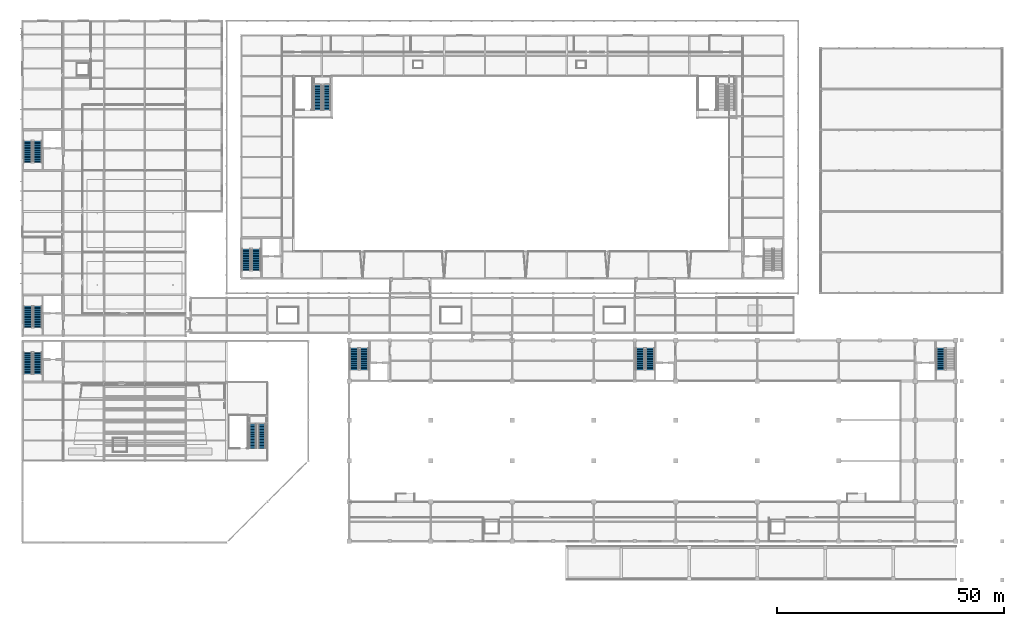
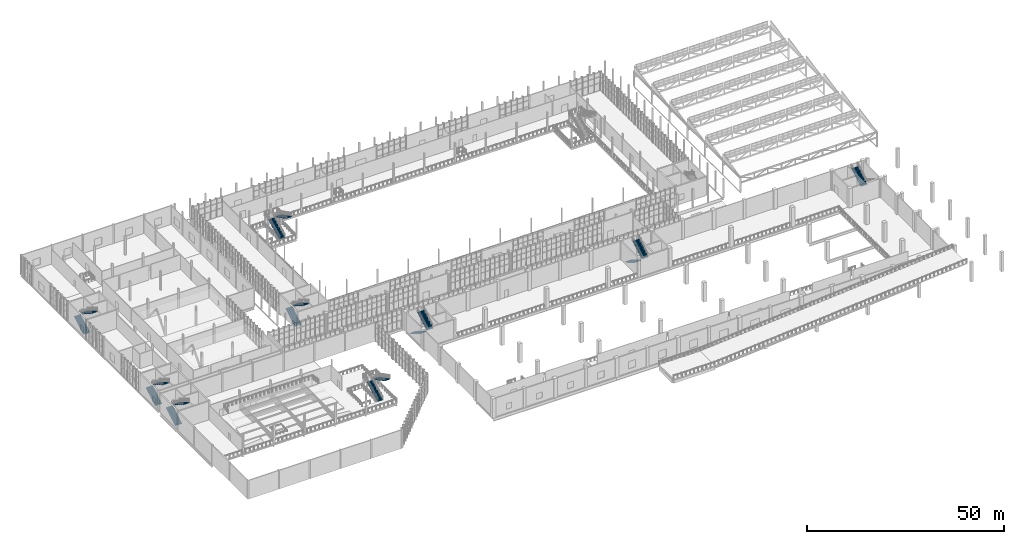
# One storey, part 129 of 159: 17 stair flights, 9 elements without a shape of their own.
"""IFC4 building model written with IfcOpenShell, lengths in metres."""

from ifc_helpers import new_model, si_unit, direction, frame, origin, place, context, subcontext, project, spatial, polyline, outline, extrude, material, type_object, element, aggregate, save


model = new_model("IFC4")

# Units and contexts
model_context = context("Model", 3, precision=1e-05, world=origin(), true_north=direction((0.0, 1.0)))
body_context = subcontext(model_context, "Body", "Model", "MODEL_VIEW")
ifc_project = project(units=[si_unit("LENGTHUNIT", "METRE"), si_unit("AREAUNIT", "SQUARE_METRE"), si_unit("VOLUMEUNIT", "CUBIC_METRE"), si_unit("PLANEANGLEUNIT", "RADIAN"), si_unit("MASSUNIT", "GRAM", prefix="KILO")], contexts=[model_context])

# Site, building, storey
site_placement = place(None, origin())
site = spatial("IfcSite", under=ifc_project, at=site_placement, CompositionType="ELEMENT")
building_placement = place(site_placement, origin())
building = spatial("IfcBuilding", under=site, at=building_placement, Name="Cazmaro Siding Exhibition Halls", CompositionType="ELEMENT")
storey_placement = place(building_placement, frame((0.0, 0.0, 6.0)))
storey = spatial("IfcBuildingStorey", under=building, at=storey_placement, Name="L01", CompositionType="ELEMENT", Elevation=6.0)

# Stair, stair flights
ifc_material_1 = material(Name="Concrete f'c 40 MPa", Category="concrete")
stair_type_1 = type_object("IfcStairType", Name="STT-02", PredefinedType="TWO_STRAIGHT_RUN_STAIR", material=ifc_material_1)
stair_1_placement = place(storey_placement, origin())
stair_1 = element("IfcStair", 1, at=stair_1_placement, inside=storey, type_object=stair_type_1, Name="Core C1 Exit Stair L01-L02 ST-02", PredefinedType="TWO_STRAIGHT_RUN_STAIR")
ifc_material_2 = material(Name="Concrete f'c 40 MPa", Category="concrete")
stair_flight_type_1 = type_object("IfcStairFlightType", Name="STF-02", PredefinedType="STRAIGHT", material=ifc_material_2)
stair_flight_1_placement = place(storey_placement, frame((49.385009765625, 68.9599609375, 0.0), z_axis=(0.0, 0.0, 1.0), x_axis=(0.0, 1.0, 0.0)))
stair_flight_1 = element("IfcStairFlight", 2, at=stair_flight_1_placement, type_object=stair_flight_type_1, Name="ST-02 flight 1", NumberOfRisers=18, NumberOfTreads=17, PredefinedType="STRAIGHT", RiserHeight=0.16667, TreadLength=0.28, context=body_context, shape_type="SweptSolid", body=[
    extrude(outline(polyline([(0.0, 0.0), (0.0, 0.166748046875), (0.280029296875, 0.166748046875), (0.280029296875, 0.333251953125), (0.56005859375, 0.333251953125), (0.56005859375, 0.5), (0.840087890625, 0.5), (0.840087890625, 0.666748046875), (1.1201171875, 0.666748046875), (1.1201171875, 0.833251953125), (1.39990234375, 0.833251953125), (1.39990234375, 1.0), (1.679931640625, 1.0), (1.679931640625, 1.166748046875), (1.9599609375, 1.166748046875), (1.9599609375, 1.333251953125), (2.239990234375, 1.333251953125), (2.239990234375, 1.5), (2.52001953125, 1.5), (2.52001953125, 1.666748046875), (2.800048828125, 1.666748046875), (2.800048828125, 1.833251953125), (3.080078125, 1.833251953125), (3.080078125, 2.0), (3.360107421875, 2.0), (3.360107421875, 2.166748046875), (3.639892578125, 2.166748046875), (3.639892578125, 2.33349609375), (3.919921875, 2.33349609375), (3.919921875, 2.5), (4.199951171875, 2.5), (4.199951171875, 2.666748046875), (4.47998046875, 2.666748046875), (4.47998046875, 2.83349609375), (4.760009765625, 2.83349609375), (4.760009765625, 3.0), (4.760009765625, 2.647216796875), (0.312744140625, 0.0), (0.0, 0.0)])), frame((0.0, 0.9599609375, 0.0), z_axis=(0.0, -1.0, 0.0), x_axis=(1.0, 0.0, 0.0)), (0.0, 0.0, 1.0), 1.919921875),
])
stair_flight_2_placement = place(storey_placement, frame((51.570068359375, 73.719970703125, 3.0), z_axis=(0.0, 0.0, 1.0), x_axis=(0.0, -1.0, 0.0)))
stair_flight_2 = element("IfcStairFlight", 3, at=stair_flight_2_placement, type_object=stair_flight_type_1, Name="ST-02 flight 2", NumberOfRisers=18, NumberOfTreads=17, PredefinedType="STRAIGHT", RiserHeight=0.16667, TreadLength=0.28, context=body_context, shape_type="SweptSolid", body=[
    extrude(outline(polyline([(0.0, 0.0), (0.0, 0.166748046875), (0.280029296875, 0.166748046875), (0.280029296875, 0.333251953125), (0.56005859375, 0.333251953125), (0.56005859375, 0.5), (0.840087890625, 0.5), (0.840087890625, 0.666748046875), (1.1201171875, 0.666748046875), (1.1201171875, 0.833251953125), (1.39990234375, 0.833251953125), (1.39990234375, 1.0), (1.679931640625, 1.0), (1.679931640625, 1.166748046875), (1.9599609375, 1.166748046875), (1.9599609375, 1.333251953125), (2.239990234375, 1.333251953125), (2.239990234375, 1.5), (2.52001953125, 1.5), (2.52001953125, 1.666748046875), (2.800048828125, 1.666748046875), (2.800048828125, 1.833251953125), (3.080078125, 1.833251953125), (3.080078125, 2.0), (3.360107421875, 2.0), (3.360107421875, 2.166748046875), (3.639892578125, 2.166748046875), (3.639892578125, 2.33349609375), (3.919921875, 2.33349609375), (3.919921875, 2.5), (4.199951171875, 2.5), (4.199951171875, 2.666748046875), (4.47998046875, 2.666748046875), (4.47998046875, 2.83349609375), (4.760009765625, 2.83349609375), (4.760009765625, 3.0), (4.760009765625, 2.647216796875), (0.312744140625, 0.0), (0.0, 0.0)])), frame((0.0, 0.9599609375, 0.0), z_axis=(0.0, -1.0, 0.0), x_axis=(1.0, 0.0, 0.0)), (0.0, 0.0, 1.0), 1.919921875),
])
aggregate(stair_1, [stair_flight_1, stair_flight_2])

ifc_material_3 = material(Name="Concrete f'c 40 MPa", Category="concrete")
stair_type_2 = type_object("IfcStairType", Name="STT-06", PredefinedType="TWO_STRAIGHT_RUN_STAIR", material=ifc_material_3)
stair_2_placement = place(storey_placement, origin())
stair_2 = element("IfcStair", 4, at=stair_2_placement, inside=storey, type_object=stair_type_2, Name="Core C3 Exit Stair L01-L02 ST-06", PredefinedType="TWO_STRAIGHT_RUN_STAIR")
ifc_material_4 = material(Name="Concrete f'c 40 MPa", Category="concrete")
stair_flight_type_2 = type_object("IfcStairFlightType", Name="STF-06", PredefinedType="STRAIGHT", material=ifc_material_4)
stair_flight_3_placement = place(storey_placement, frame((73.175048828125, 51.840087890625, 0.0), z_axis=(0.0, 0.0, 1.0), x_axis=(0.0, -1.0, 0.0)))
stair_flight_3 = element("IfcStairFlight", 5, at=stair_flight_3_placement, type_object=stair_flight_type_2, Name="ST-06 flight 1", NumberOfRisers=18, NumberOfTreads=17, PredefinedType="STRAIGHT", RiserHeight=0.16667, TreadLength=0.28, context=body_context, shape_type="SweptSolid", body=[
    extrude(outline(polyline([(0.0, 0.0), (0.0, 0.166748046875), (0.280029296875, 0.166748046875), (0.280029296875, 0.333251953125), (0.56005859375, 0.333251953125), (0.56005859375, 0.5), (0.840087890625, 0.5), (0.840087890625, 0.666748046875), (1.1201171875, 0.666748046875), (1.1201171875, 0.833251953125), (1.39990234375, 0.833251953125), (1.39990234375, 1.0), (1.679931640625, 1.0), (1.679931640625, 1.166748046875), (1.9599609375, 1.166748046875), (1.9599609375, 1.333251953125), (2.239990234375, 1.333251953125), (2.239990234375, 1.5), (2.52001953125, 1.5), (2.52001953125, 1.666748046875), (2.800048828125, 1.666748046875), (2.800048828125, 1.833251953125), (3.080078125, 1.833251953125), (3.080078125, 2.0), (3.360107421875, 2.0), (3.360107421875, 2.166748046875), (3.639892578125, 2.166748046875), (3.639892578125, 2.33349609375), (3.919921875, 2.33349609375), (3.919921875, 2.5), (4.199951171875, 2.5), (4.199951171875, 2.666748046875), (4.47998046875, 2.666748046875), (4.47998046875, 2.83349609375), (4.760009765625, 2.83349609375), (4.760009765625, 3.0), (4.760009765625, 2.647216796875), (0.312744140625, 0.0), (0.0, 0.0)])), frame((0.0, 0.949951171875, 0.0), z_axis=(0.0, -1.0, 0.0), x_axis=(1.0, 0.0, 0.0)), (0.0, 0.0, 1.0), 1.89990234375),
])
stair_flight_4_placement = place(storey_placement, frame((75.3798828125, 47.080078125, 3.0), z_axis=(0.0, 0.0, 1.0), x_axis=(0.0, 1.0, 0.0)))
stair_flight_4 = element("IfcStairFlight", 6, at=stair_flight_4_placement, type_object=stair_flight_type_2, Name="ST-06 flight 2", NumberOfRisers=18, NumberOfTreads=17, PredefinedType="STRAIGHT", RiserHeight=0.16667, TreadLength=0.28, context=body_context, shape_type="SweptSolid", body=[
    extrude(outline(polyline([(0.0, 0.0), (0.0, 0.166748046875), (0.280029296875, 0.166748046875), (0.280029296875, 0.333251953125), (0.56005859375, 0.333251953125), (0.56005859375, 0.5), (0.840087890625, 0.5), (0.840087890625, 0.666748046875), (1.1201171875, 0.666748046875), (1.1201171875, 0.833251953125), (1.39990234375, 0.833251953125), (1.39990234375, 1.0), (1.679931640625, 1.0), (1.679931640625, 1.166748046875), (1.9599609375, 1.166748046875), (1.9599609375, 1.333251953125), (2.239990234375, 1.333251953125), (2.239990234375, 1.5), (2.52001953125, 1.5), (2.52001953125, 1.666748046875), (2.800048828125, 1.666748046875), (2.800048828125, 1.833251953125), (3.080078125, 1.833251953125), (3.080078125, 2.0), (3.360107421875, 2.0), (3.360107421875, 2.166748046875), (3.639892578125, 2.166748046875), (3.639892578125, 2.33349609375), (3.919921875, 2.33349609375), (3.919921875, 2.5), (4.199951171875, 2.5), (4.199951171875, 2.666748046875), (4.47998046875, 2.666748046875), (4.47998046875, 2.83349609375), (4.760009765625, 2.83349609375), (4.760009765625, 3.0), (4.760009765625, 2.647216796875), (0.312744140625, 0.0), (0.0, 0.0)])), frame((0.0, 0.949951171875, 0.0), z_axis=(0.0, -1.0, 0.0), x_axis=(1.0, 0.0, 0.0)), (0.0, 0.0, 1.0), 1.89990234375),
])
aggregate(stair_2, [stair_flight_3, stair_flight_4])

ifc_material_5 = material(Name="Concrete f'c 40 MPa", Category="concrete")
stair_type_3 = type_object("IfcStairType", Name="STT-08", PredefinedType="TWO_STRAIGHT_RUN_STAIR", material=ifc_material_5)
stair_3_placement = place(storey_placement, origin())
stair_3 = element("IfcStair", 7, at=stair_3_placement, inside=storey, type_object=stair_type_3, Name="Core C4 Exit Stair L01-L02 ST-08", PredefinedType="TWO_STRAIGHT_RUN_STAIR")
ifc_material_6 = material(Name="Concrete f'c 40 MPa", Category="concrete")
stair_flight_type_3 = type_object("IfcStairFlightType", Name="STF-08", PredefinedType="STRAIGHT", material=ifc_material_6)
stair_flight_5_placement = place(storey_placement, frame((136.179931640625, 51.840087890625, 0.0), z_axis=(0.0, 0.0, 1.0), x_axis=(0.0, -1.0, 0.0)))
stair_flight_5 = element("IfcStairFlight", 8, at=stair_flight_5_placement, type_object=stair_flight_type_3, Name="ST-08 flight 1", NumberOfRisers=18, NumberOfTreads=17, PredefinedType="STRAIGHT", RiserHeight=0.16667, TreadLength=0.28, context=body_context, shape_type="SweptSolid", body=[
    extrude(outline(polyline([(0.0, 0.0), (0.0, 0.166748046875), (0.280029296875, 0.166748046875), (0.280029296875, 0.333251953125), (0.56005859375, 0.333251953125), (0.56005859375, 0.5), (0.840087890625, 0.5), (0.840087890625, 0.666748046875), (1.1201171875, 0.666748046875), (1.1201171875, 0.833251953125), (1.39990234375, 0.833251953125), (1.39990234375, 1.0), (1.679931640625, 1.0), (1.679931640625, 1.166748046875), (1.9599609375, 1.166748046875), (1.9599609375, 1.333251953125), (2.239990234375, 1.333251953125), (2.239990234375, 1.5), (2.52001953125, 1.5), (2.52001953125, 1.666748046875), (2.800048828125, 1.666748046875), (2.800048828125, 1.833251953125), (3.080078125, 1.833251953125), (3.080078125, 2.0), (3.360107421875, 2.0), (3.360107421875, 2.166748046875), (3.639892578125, 2.166748046875), (3.639892578125, 2.33349609375), (3.919921875, 2.33349609375), (3.919921875, 2.5), (4.199951171875, 2.5), (4.199951171875, 2.666748046875), (4.47998046875, 2.666748046875), (4.47998046875, 2.83349609375), (4.760009765625, 2.83349609375), (4.760009765625, 3.0), (4.760009765625, 2.647216796875), (0.312744140625, 0.0), (0.0, 0.0)])), frame((0.0, 0.955078125, 0.0), z_axis=(0.0, -1.0, 0.0), x_axis=(1.0, 0.0, 0.0)), (0.0, 0.0, 1.0), 1.909912109375),
])
stair_flight_6_placement = place(storey_placement, frame((138.375, 47.080078125, 3.0), z_axis=(0.0, 0.0, 1.0), x_axis=(0.0, 1.0, 0.0)))
stair_flight_6 = element("IfcStairFlight", 9, at=stair_flight_6_placement, type_object=stair_flight_type_3, Name="ST-08 flight 2", NumberOfRisers=18, NumberOfTreads=17, PredefinedType="STRAIGHT", RiserHeight=0.16667, TreadLength=0.28, context=body_context, shape_type="SweptSolid", body=[
    extrude(outline(polyline([(0.0, 0.0), (0.0, 0.166748046875), (0.280029296875, 0.166748046875), (0.280029296875, 0.333251953125), (0.56005859375, 0.333251953125), (0.56005859375, 0.5), (0.840087890625, 0.5), (0.840087890625, 0.666748046875), (1.1201171875, 0.666748046875), (1.1201171875, 0.833251953125), (1.39990234375, 0.833251953125), (1.39990234375, 1.0), (1.679931640625, 1.0), (1.679931640625, 1.166748046875), (1.9599609375, 1.166748046875), (1.9599609375, 1.333251953125), (2.239990234375, 1.333251953125), (2.239990234375, 1.5), (2.52001953125, 1.5), (2.52001953125, 1.666748046875), (2.800048828125, 1.666748046875), (2.800048828125, 1.833251953125), (3.080078125, 1.833251953125), (3.080078125, 2.0), (3.360107421875, 2.0), (3.360107421875, 2.166748046875), (3.639892578125, 2.166748046875), (3.639892578125, 2.33349609375), (3.919921875, 2.33349609375), (3.919921875, 2.5), (4.199951171875, 2.5), (4.199951171875, 2.666748046875), (4.47998046875, 2.666748046875), (4.47998046875, 2.83349609375), (4.760009765625, 2.83349609375), (4.760009765625, 3.0), (4.760009765625, 2.647216796875), (0.312744140625, 0.0), (0.0, 0.0)])), frame((0.0, 0.955078125, 0.0), z_axis=(0.0, -1.0, 0.0), x_axis=(1.0, 0.0, 0.0)), (0.0, 0.0, 1.0), 1.909912109375),
])
aggregate(stair_3, [stair_flight_5, stair_flight_6])

# Stair, stair flight
ifc_material_7 = material(Name="Concrete f'c 40 MPa", Category="concrete")
stair_type_4 = type_object("IfcStairType", Name="STT-10", PredefinedType="TWO_STRAIGHT_RUN_STAIR", material=ifc_material_7)
stair_4_placement = place(storey_placement, origin())
stair_4 = element("IfcStair", 10, at=stair_4_placement, inside=storey, type_object=stair_type_4, Name="Core C5 Exit Stair L01-L02 ST-10", PredefinedType="TWO_STRAIGHT_RUN_STAIR")
ifc_material_8 = material(Name="Concrete f'c 40 MPa", Category="concrete")
stair_flight_type_4 = type_object("IfcStairFlightType", Name="STF-10", PredefinedType="STRAIGHT", material=ifc_material_8)
stair_flight_7_placement = place(storey_placement, frame((202.43994140625, 47.080078125, 3.0), z_axis=(0.0, 0.0, 1.0), x_axis=(0.0, 1.0, 0.0)))
stair_flight_7 = element("IfcStairFlight", 11, at=stair_flight_7_placement, type_object=stair_flight_type_4, Name="ST-10 flight 2", NumberOfRisers=18, NumberOfTreads=17, PredefinedType="STRAIGHT", RiserHeight=0.16667, TreadLength=0.28, context=body_context, shape_type="SweptSolid", body=[
    extrude(outline(polyline([(0.0, 0.0), (0.0, 0.166748046875), (0.280029296875, 0.166748046875), (0.280029296875, 0.333251953125), (0.56005859375, 0.333251953125), (0.56005859375, 0.5), (0.840087890625, 0.5), (0.840087890625, 0.666748046875), (1.1201171875, 0.666748046875), (1.1201171875, 0.833251953125), (1.39990234375, 0.833251953125), (1.39990234375, 1.0), (1.679931640625, 1.0), (1.679931640625, 1.166748046875), (1.9599609375, 1.166748046875), (1.9599609375, 1.333251953125), (2.239990234375, 1.333251953125), (2.239990234375, 1.5), (2.52001953125, 1.5), (2.52001953125, 1.666748046875), (2.800048828125, 1.666748046875), (2.800048828125, 1.833251953125), (3.080078125, 1.833251953125), (3.080078125, 2.0), (3.360107421875, 2.0), (3.360107421875, 2.166748046875), (3.639892578125, 2.166748046875), (3.639892578125, 2.33349609375), (3.919921875, 2.33349609375), (3.919921875, 2.5), (4.199951171875, 2.5), (4.199951171875, 2.666748046875), (4.47998046875, 2.666748046875), (4.47998046875, 2.83349609375), (4.760009765625, 2.83349609375), (4.760009765625, 3.0), (4.760009765625, 2.647216796875), (0.312744140625, 0.0), (0.0, 0.0)])), frame((0.0, 0.969970703125, 0.0), z_axis=(0.0, -1.0, 0.0), x_axis=(1.0, 0.0, 0.0)), (0.0, 0.0, 1.0), 1.93994140625),
])
aggregate(stair_4, [stair_flight_7])

# Stair, stair flights
ifc_material_9 = material(Name="Concrete f'c 40 MPa", Category="concrete")
stair_type_5 = type_object("IfcStairType", Name="STT-12", PredefinedType="TWO_STRAIGHT_RUN_STAIR", material=ifc_material_9)
stair_5_placement = place(storey_placement, origin())
stair_5 = element("IfcStair", 12, at=stair_5_placement, inside=storey, type_object=stair_type_5, Name="Core C6 Exit Stair L01-L02 ST-12", PredefinedType="TWO_STRAIGHT_RUN_STAIR")
ifc_material_10 = material(Name="Concrete f'c 40 MPa", Category="concrete")
stair_flight_type_5 = type_object("IfcStairFlightType", Name="STF-12", PredefinedType="STRAIGHT", material=ifc_material_10)
stair_flight_8_placement = place(storey_placement, frame((1.199951171875, 46.159912109375, 0.0), z_axis=(0.0, 0.0, 1.0), x_axis=(0.0, 1.0, 0.0)))
stair_flight_8 = element("IfcStairFlight", 13, at=stair_flight_8_placement, type_object=stair_flight_type_5, Name="ST-12 flight 1", NumberOfRisers=18, NumberOfTreads=17, PredefinedType="STRAIGHT", RiserHeight=0.16667, TreadLength=0.28, context=body_context, shape_type="SweptSolid", body=[
    extrude(outline(polyline([(0.0, 0.0), (0.0, 0.166748046875), (0.280029296875, 0.166748046875), (0.280029296875, 0.333251953125), (0.56005859375, 0.333251953125), (0.56005859375, 0.5), (0.840087890625, 0.5), (0.840087890625, 0.666748046875), (1.1201171875, 0.666748046875), (1.1201171875, 0.833251953125), (1.39990234375, 0.833251953125), (1.39990234375, 1.0), (1.679931640625, 1.0), (1.679931640625, 1.166748046875), (1.9599609375, 1.166748046875), (1.9599609375, 1.333251953125), (2.239990234375, 1.333251953125), (2.239990234375, 1.5), (2.52001953125, 1.5), (2.52001953125, 1.666748046875), (2.800048828125, 1.666748046875), (2.800048828125, 1.833251953125), (3.080078125, 1.833251953125), (3.080078125, 2.0), (3.360107421875, 2.0), (3.360107421875, 2.166748046875), (3.639892578125, 2.166748046875), (3.639892578125, 2.33349609375), (3.919921875, 2.33349609375), (3.919921875, 2.5), (4.199951171875, 2.5), (4.199951171875, 2.666748046875), (4.47998046875, 2.666748046875), (4.47998046875, 2.83349609375), (4.760009765625, 2.83349609375), (4.760009765625, 3.0), (4.760009765625, 2.647216796875), (0.312744140625, 0.0), (0.0, 0.0)])), frame((0.0, 0.97509765625, 0.0), z_axis=(0.0, -1.0, 0.0), x_axis=(1.0, 0.0, 0.0)), (0.0, 0.0, 1.0), 1.949951171875),
])
stair_flight_9_placement = place(storey_placement, frame((3.35498046875, 50.919921875, 3.0), z_axis=(0.0, 0.0, 1.0), x_axis=(0.0, -1.0, 0.0)))
stair_flight_9 = element("IfcStairFlight", 14, at=stair_flight_9_placement, type_object=stair_flight_type_5, Name="ST-12 flight 2", NumberOfRisers=18, NumberOfTreads=17, PredefinedType="STRAIGHT", RiserHeight=0.16667, TreadLength=0.28, context=body_context, shape_type="SweptSolid", body=[
    extrude(outline(polyline([(0.0, 0.0), (0.0, 0.166748046875), (0.280029296875, 0.166748046875), (0.280029296875, 0.333251953125), (0.56005859375, 0.333251953125), (0.56005859375, 0.5), (0.840087890625, 0.5), (0.840087890625, 0.666748046875), (1.1201171875, 0.666748046875), (1.1201171875, 0.833251953125), (1.39990234375, 0.833251953125), (1.39990234375, 1.0), (1.679931640625, 1.0), (1.679931640625, 1.166748046875), (1.9599609375, 1.166748046875), (1.9599609375, 1.333251953125), (2.239990234375, 1.333251953125), (2.239990234375, 1.5), (2.52001953125, 1.5), (2.52001953125, 1.666748046875), (2.800048828125, 1.666748046875), (2.800048828125, 1.833251953125), (3.080078125, 1.833251953125), (3.080078125, 2.0), (3.360107421875, 2.0), (3.360107421875, 2.166748046875), (3.639892578125, 2.166748046875), (3.639892578125, 2.33349609375), (3.919921875, 2.33349609375), (3.919921875, 2.5), (4.199951171875, 2.5), (4.199951171875, 2.666748046875), (4.47998046875, 2.666748046875), (4.47998046875, 2.83349609375), (4.760009765625, 2.83349609375), (4.760009765625, 3.0), (4.760009765625, 2.647216796875), (0.312744140625, 0.0), (0.0, 0.0)])), frame((0.0, 0.97509765625, 0.0), z_axis=(0.0, -1.0, 0.0), x_axis=(1.0, 0.0, 0.0)), (0.0, 0.0, 1.0), 1.949951171875),
])
aggregate(stair_5, [stair_flight_8, stair_flight_9])

ifc_material_11 = material(Name="Concrete f'c 40 MPa", Category="concrete")
stair_type_6 = type_object("IfcStairType", Name="STT-14", PredefinedType="TWO_STRAIGHT_RUN_STAIR", material=ifc_material_11)
stair_6_placement = place(storey_placement, origin())
stair_6 = element("IfcStair", 15, at=stair_6_placement, inside=storey, type_object=stair_type_6, Name="Core C7 Exit Stair L01-L02 ST-14", PredefinedType="TWO_STRAIGHT_RUN_STAIR")
ifc_material_12 = material(Name="Concrete f'c 40 MPa", Category="concrete")
stair_flight_type_6 = type_object("IfcStairFlightType", Name="STF-14", PredefinedType="STRAIGHT", material=ifc_material_12)
stair_flight_10_placement = place(storey_placement, frame((1.205078125, 56.360107421875, 0.0), z_axis=(0.0, 0.0, 1.0), x_axis=(0.0, 1.0, 0.0)))
stair_flight_10 = element("IfcStairFlight", 16, at=stair_flight_10_placement, type_object=stair_flight_type_6, Name="ST-14 flight 1", NumberOfRisers=18, NumberOfTreads=17, PredefinedType="STRAIGHT", RiserHeight=0.16667, TreadLength=0.28, context=body_context, shape_type="SweptSolid", body=[
    extrude(outline(polyline([(0.0, 0.0), (0.0, 0.166748046875), (0.280029296875, 0.166748046875), (0.280029296875, 0.333251953125), (0.56005859375, 0.333251953125), (0.56005859375, 0.5), (0.840087890625, 0.5), (0.840087890625, 0.666748046875), (1.1201171875, 0.666748046875), (1.1201171875, 0.833251953125), (1.39990234375, 0.833251953125), (1.39990234375, 1.0), (1.679931640625, 1.0), (1.679931640625, 1.166748046875), (1.9599609375, 1.166748046875), (1.9599609375, 1.333251953125), (2.239990234375, 1.333251953125), (2.239990234375, 1.5), (2.52001953125, 1.5), (2.52001953125, 1.666748046875), (2.800048828125, 1.666748046875), (2.800048828125, 1.833251953125), (3.080078125, 1.833251953125), (3.080078125, 2.0), (3.360107421875, 2.0), (3.360107421875, 2.166748046875), (3.639892578125, 2.166748046875), (3.639892578125, 2.33349609375), (3.919921875, 2.33349609375), (3.919921875, 2.5), (4.199951171875, 2.5), (4.199951171875, 2.666748046875), (4.47998046875, 2.666748046875), (4.47998046875, 2.83349609375), (4.760009765625, 2.83349609375), (4.760009765625, 3.0), (4.760009765625, 2.647216796875), (0.312744140625, 0.0), (0.0, 0.0)])), frame((0.0, 0.97998046875, 0.0), z_axis=(0.0, -1.0, 0.0), x_axis=(1.0, 0.0, 0.0)), (0.0, 0.0, 1.0), 1.9599609375),
])
stair_flight_11_placement = place(storey_placement, frame((3.35009765625, 61.1201171875, 3.0), z_axis=(0.0, 0.0, 1.0), x_axis=(0.0, -1.0, 0.0)))
stair_flight_11 = element("IfcStairFlight", 17, at=stair_flight_11_placement, type_object=stair_flight_type_6, Name="ST-14 flight 2", NumberOfRisers=18, NumberOfTreads=17, PredefinedType="STRAIGHT", RiserHeight=0.16667, TreadLength=0.28, context=body_context, shape_type="SweptSolid", body=[
    extrude(outline(polyline([(0.0, 0.0), (0.0, 0.166748046875), (0.280029296875, 0.166748046875), (0.280029296875, 0.333251953125), (0.56005859375, 0.333251953125), (0.56005859375, 0.5), (0.840087890625, 0.5), (0.840087890625, 0.666748046875), (1.1201171875, 0.666748046875), (1.1201171875, 0.833251953125), (1.39990234375, 0.833251953125), (1.39990234375, 1.0), (1.679931640625, 1.0), (1.679931640625, 1.166748046875), (1.9599609375, 1.166748046875), (1.9599609375, 1.333251953125), (2.239990234375, 1.333251953125), (2.239990234375, 1.5), (2.52001953125, 1.5), (2.52001953125, 1.666748046875), (2.800048828125, 1.666748046875), (2.800048828125, 1.833251953125), (3.080078125, 1.833251953125), (3.080078125, 2.0), (3.360107421875, 2.0), (3.360107421875, 2.166748046875), (3.639892578125, 2.166748046875), (3.639892578125, 2.33349609375), (3.919921875, 2.33349609375), (3.919921875, 2.5), (4.199951171875, 2.5), (4.199951171875, 2.666748046875), (4.47998046875, 2.666748046875), (4.47998046875, 2.83349609375), (4.760009765625, 2.83349609375), (4.760009765625, 3.0), (4.760009765625, 2.647216796875), (0.312744140625, 0.0), (0.0, 0.0)])), frame((0.0, 0.97998046875, 0.0), z_axis=(0.0, -1.0, 0.0), x_axis=(1.0, 0.0, 0.0)), (0.0, 0.0, 1.0), 1.9599609375),
])
aggregate(stair_6, [stair_flight_10, stair_flight_11])

ifc_material_13 = material(Name="Concrete f'c 40 MPa", Category="concrete")
stair_type_7 = type_object("IfcStairType", Name="STT-19", PredefinedType="TWO_STRAIGHT_RUN_STAIR", material=ifc_material_13)
stair_7_placement = place(storey_placement, origin())
stair_7 = element("IfcStair", 18, at=stair_7_placement, inside=storey, type_object=stair_type_7, Name="Core C8 Exit Stair L01-L02 ST-19", PredefinedType="TWO_STRAIGHT_RUN_STAIR")
ifc_material_14 = material(Name="Concrete f'c 40 MPa", Category="concrete")
stair_flight_type_7 = type_object("IfcStairFlightType", Name="STF-19", PredefinedType="STRAIGHT", material=ifc_material_14)
stair_flight_12_placement = place(storey_placement, frame((1.169921875, 92.760009765625, 0.0), z_axis=(0.0, 0.0, 1.0), x_axis=(0.0, 1.0, 0.0)))
stair_flight_12 = element("IfcStairFlight", 19, at=stair_flight_12_placement, type_object=stair_flight_type_7, Name="ST-19 flight 1", NumberOfRisers=18, NumberOfTreads=17, PredefinedType="STRAIGHT", RiserHeight=0.16667, TreadLength=0.28, context=body_context, shape_type="SweptSolid", body=[
    extrude(outline(polyline([(0.0, 0.0), (0.0, 0.166748046875), (0.280029296875, 0.166748046875), (0.280029296875, 0.333251953125), (0.56005859375, 0.333251953125), (0.56005859375, 0.5), (0.840087890625, 0.5), (0.840087890625, 0.666748046875), (1.1201171875, 0.666748046875), (1.1201171875, 0.833251953125), (1.39990234375, 0.833251953125), (1.39990234375, 1.0), (1.679931640625, 1.0), (1.679931640625, 1.166748046875), (1.9599609375, 1.166748046875), (1.9599609375, 1.333251953125), (2.239990234375, 1.333251953125), (2.239990234375, 1.5), (2.52001953125, 1.5), (2.52001953125, 1.666748046875), (2.800048828125, 1.666748046875), (2.800048828125, 1.833251953125), (3.080078125, 1.833251953125), (3.080078125, 2.0), (3.360107421875, 2.0), (3.360107421875, 2.166748046875), (3.639892578125, 2.166748046875), (3.639892578125, 2.33349609375), (3.919921875, 2.33349609375), (3.919921875, 2.5), (4.199951171875, 2.5), (4.199951171875, 2.666748046875), (4.47998046875, 2.666748046875), (4.47998046875, 2.83349609375), (4.760009765625, 2.83349609375), (4.760009765625, 3.0), (4.760009765625, 2.647216796875), (0.312744140625, 0.0), (0.0, 0.0)])), frame((0.0, 0.94482421875, 0.0), z_axis=(0.0, -1.0, 0.0), x_axis=(1.0, 0.0, 0.0)), (0.0, 0.0, 1.0), 1.889892578125),
])
stair_flight_13_placement = place(storey_placement, frame((3.385009765625, 97.52001953125, 3.0), z_axis=(0.0, 0.0, 1.0), x_axis=(0.0, -1.0, 0.0)))
stair_flight_13 = element("IfcStairFlight", 20, at=stair_flight_13_placement, type_object=stair_flight_type_7, Name="ST-19 flight 2", NumberOfRisers=18, NumberOfTreads=17, PredefinedType="STRAIGHT", RiserHeight=0.16667, TreadLength=0.28, context=body_context, shape_type="SweptSolid", body=[
    extrude(outline(polyline([(0.0, 0.0), (0.0, 0.166748046875), (0.280029296875, 0.166748046875), (0.280029296875, 0.333251953125), (0.56005859375, 0.333251953125), (0.56005859375, 0.5), (0.840087890625, 0.5), (0.840087890625, 0.666748046875), (1.1201171875, 0.666748046875), (1.1201171875, 0.833251953125), (1.39990234375, 0.833251953125), (1.39990234375, 1.0), (1.679931640625, 1.0), (1.679931640625, 1.166748046875), (1.9599609375, 1.166748046875), (1.9599609375, 1.333251953125), (2.239990234375, 1.333251953125), (2.239990234375, 1.5), (2.52001953125, 1.5), (2.52001953125, 1.666748046875), (2.800048828125, 1.666748046875), (2.800048828125, 1.833251953125), (3.080078125, 1.833251953125), (3.080078125, 2.0), (3.360107421875, 2.0), (3.360107421875, 2.166748046875), (3.639892578125, 2.166748046875), (3.639892578125, 2.33349609375), (3.919921875, 2.33349609375), (3.919921875, 2.5), (4.199951171875, 2.5), (4.199951171875, 2.666748046875), (4.47998046875, 2.666748046875), (4.47998046875, 2.83349609375), (4.760009765625, 2.83349609375), (4.760009765625, 3.0), (4.760009765625, 2.647216796875), (0.312744140625, 0.0), (0.0, 0.0)])), frame((0.0, 0.94482421875, 0.0), z_axis=(0.0, -1.0, 0.0), x_axis=(1.0, 0.0, 0.0)), (0.0, 0.0, 1.0), 1.889892578125),
])
aggregate(stair_7, [stair_flight_12, stair_flight_13])

ifc_material_15 = material(Name="Steel ASTM A992 Grade 50 Stringers with Precast Treads", Category="concrete")
stair_type_8 = type_object("IfcStairType", Name="STT-23", PredefinedType="TWO_STRAIGHT_RUN_STAIR", material=ifc_material_15)
stair_8_placement = place(storey_placement, origin())
stair_8 = element("IfcStair", 21, at=stair_8_placement, inside=storey, type_object=stair_type_8, Name="Hall A West Feature Gallery Stair L01-L02 ST-23", PredefinedType="TWO_STRAIGHT_RUN_STAIR")
ifc_material_16 = material(Name="Precast Concrete Treads f'c 40 MPa on Steel Stringers", Category="concrete")
stair_flight_type_8 = type_object("IfcStairFlightType", Name="STF-23", PredefinedType="STRAIGHT", material=ifc_material_16)
stair_flight_14_placement = place(storey_placement, frame((65.1298828125, 104.3798828125, 0.0), z_axis=(0.0, 0.0, 1.0), x_axis=(0.0, 1.0, 0.0)))
stair_flight_14 = element("IfcStairFlight", 22, at=stair_flight_14_placement, type_object=stair_flight_type_8, Name="ST-23 flight 1", NumberOfRisers=18, NumberOfTreads=17, PredefinedType="STRAIGHT", RiserHeight=0.16667, TreadLength=0.325, context=body_context, shape_type="SweptSolid", body=[
    extrude(outline(polyline([(0.0, 0.0), (0.0, 0.166748046875), (0.324951171875, 0.166748046875), (0.324951171875, 0.333251953125), (0.64990234375, 0.333251953125), (0.64990234375, 0.5), (0.97509765625, 0.5), (0.97509765625, 0.666748046875), (1.300048828125, 0.666748046875), (1.300048828125, 0.833251953125), (1.625, 0.833251953125), (1.625, 1.0), (1.949951171875, 1.0), (1.949951171875, 1.166748046875), (2.27490234375, 1.166748046875), (2.27490234375, 1.333251953125), (2.60009765625, 1.333251953125), (2.60009765625, 1.5), (2.925048828125, 1.5), (2.925048828125, 1.666748046875), (3.25, 1.666748046875), (3.25, 1.833251953125), (3.574951171875, 1.833251953125), (3.574951171875, 2.0), (3.89990234375, 2.0), (3.89990234375, 2.166748046875), (4.22509765625, 2.166748046875), (4.22509765625, 2.33349609375), (4.550048828125, 2.33349609375), (4.550048828125, 2.5), (4.875, 2.5), (4.875, 2.666748046875), (5.199951171875, 2.666748046875), (5.199951171875, 2.83349609375), (5.52490234375, 2.83349609375), (5.52490234375, 3.0), (5.52490234375, 2.653564453125), (0.350341796875, 0.0), (0.0, 0.0)])), frame((0.0, 0.824951171875, 0.0), z_axis=(0.0, -1.0, 0.0), x_axis=(1.0, 0.0, 0.0)), (0.0, 0.0, 1.0), 1.64990234375),
])
stair_flight_15_placement = place(storey_placement, frame((67.14990234375, 109.905029296875, 3.0), z_axis=(0.0, 0.0, 1.0), x_axis=(0.0, -1.0, 0.0)))
stair_flight_15 = element("IfcStairFlight", 23, at=stair_flight_15_placement, type_object=stair_flight_type_8, Name="ST-23 flight 2", NumberOfRisers=18, NumberOfTreads=17, PredefinedType="STRAIGHT", RiserHeight=0.16667, TreadLength=0.325, context=body_context, shape_type="SweptSolid", body=[
    extrude(outline(polyline([(0.0, 0.0), (0.0, 0.166748046875), (0.324951171875, 0.166748046875), (0.324951171875, 0.333251953125), (0.64990234375, 0.333251953125), (0.64990234375, 0.5), (0.97509765625, 0.5), (0.97509765625, 0.666748046875), (1.300048828125, 0.666748046875), (1.300048828125, 0.833251953125), (1.625, 0.833251953125), (1.625, 1.0), (1.949951171875, 1.0), (1.949951171875, 1.166748046875), (2.27490234375, 1.166748046875), (2.27490234375, 1.333251953125), (2.60009765625, 1.333251953125), (2.60009765625, 1.5), (2.925048828125, 1.5), (2.925048828125, 1.666748046875), (3.25, 1.666748046875), (3.25, 1.833251953125), (3.574951171875, 1.833251953125), (3.574951171875, 2.0), (3.89990234375, 2.0), (3.89990234375, 2.166748046875), (4.22509765625, 2.166748046875), (4.22509765625, 2.33349609375), (4.550048828125, 2.33349609375), (4.550048828125, 2.5), (4.875, 2.5), (4.875, 2.666748046875), (5.199951171875, 2.666748046875), (5.199951171875, 2.83349609375), (5.52490234375, 2.83349609375), (5.52490234375, 3.0), (5.52490234375, 2.653564453125), (0.350341796875, 0.0), (0.0, 0.0)])), frame((0.0, 0.824951171875, 0.0), z_axis=(0.0, -1.0, 0.0), x_axis=(1.0, 0.0, 0.0)), (0.0, 0.0, 1.0), 1.64990234375),
])
aggregate(stair_8, [stair_flight_14, stair_flight_15])

ifc_material_17 = material(Name="Steel ASTM A992 Grade 50 Stringers with Precast Treads", Category="concrete")
stair_type_9 = type_object("IfcStairType", Name="STT-27", PredefinedType="TWO_STRAIGHT_RUN_STAIR", material=ifc_material_17)
stair_9_placement = place(storey_placement, origin())
stair_9 = element("IfcStair", 24, at=stair_9_placement, inside=storey, type_object=stair_type_9, Name="Congress Banquet Grand Stair L01-L02 ST-27", PredefinedType="TWO_STRAIGHT_RUN_STAIR")
ifc_material_18 = material(Name="Precast Concrete Treads f'c 40 MPa on Steel Stringers", Category="concrete")
stair_flight_type_9 = type_object("IfcStairFlightType", Name="STF-27", PredefinedType="STRAIGHT", material=ifc_material_18)
stair_flight_16_placement = place(storey_placement, frame((50.780029296875, 29.780029296875, 0.0), z_axis=(0.0, 0.0, 1.0), x_axis=(0.0, 1.0, 0.0)))
stair_flight_16 = element("IfcStairFlight", 25, at=stair_flight_16_placement, type_object=stair_flight_type_9, Name="ST-27 flight 1", NumberOfRisers=18, NumberOfTreads=17, PredefinedType="STRAIGHT", RiserHeight=0.16667, TreadLength=0.32, context=body_context, shape_type="SweptSolid", body=[
    extrude(outline(polyline([(0.0, 0.0), (0.0, 0.166748046875), (0.320068359375, 0.166748046875), (0.320068359375, 0.333251953125), (0.639892578125, 0.333251953125), (0.639892578125, 0.5), (0.9599609375, 0.5), (0.9599609375, 0.666748046875), (1.280029296875, 0.666748046875), (1.280029296875, 0.833251953125), (1.60009765625, 0.833251953125), (1.60009765625, 1.0), (1.919921875, 1.0), (1.919921875, 1.166748046875), (2.239990234375, 1.166748046875), (2.239990234375, 1.333251953125), (2.56005859375, 1.333251953125), (2.56005859375, 1.5), (2.8798828125, 1.5), (2.8798828125, 1.666748046875), (3.199951171875, 1.666748046875), (3.199951171875, 1.833251953125), (3.52001953125, 1.833251953125), (3.52001953125, 2.0), (3.840087890625, 2.0), (3.840087890625, 2.166748046875), (4.159912109375, 2.166748046875), (4.159912109375, 2.33349609375), (4.47998046875, 2.33349609375), (4.47998046875, 2.5), (4.800048828125, 2.5), (4.800048828125, 2.666748046875), (5.1201171875, 2.666748046875), (5.1201171875, 2.83349609375), (5.43994140625, 2.83349609375), (5.43994140625, 3.0), (5.43994140625, 2.653076171875), (0.34619140625, 0.0), (0.0, 0.0)])), frame((0.0, 0.77490234375, 0.0), z_axis=(0.0, -1.0, 0.0), x_axis=(1.0, 0.0, 0.0)), (0.0, 0.0, 1.0), 1.550048828125),
])
stair_flight_17_placement = place(storey_placement, frame((52.840087890625, 35.219970703125, 3.0), z_axis=(0.0, 0.0, 1.0), x_axis=(0.0, -1.0, 0.0)))
stair_flight_17 = element("IfcStairFlight", 26, at=stair_flight_17_placement, type_object=stair_flight_type_9, Name="ST-27 flight 2", NumberOfRisers=18, NumberOfTreads=17, PredefinedType="STRAIGHT", RiserHeight=0.16667, TreadLength=0.32, context=body_context, shape_type="SweptSolid", body=[
    extrude(outline(polyline([(0.0, 0.0), (0.0, 0.166748046875), (0.320068359375, 0.166748046875), (0.320068359375, 0.333251953125), (0.639892578125, 0.333251953125), (0.639892578125, 0.5), (0.9599609375, 0.5), (0.9599609375, 0.666748046875), (1.280029296875, 0.666748046875), (1.280029296875, 0.833251953125), (1.60009765625, 0.833251953125), (1.60009765625, 1.0), (1.919921875, 1.0), (1.919921875, 1.166748046875), (2.239990234375, 1.166748046875), (2.239990234375, 1.333251953125), (2.56005859375, 1.333251953125), (2.56005859375, 1.5), (2.8798828125, 1.5), (2.8798828125, 1.666748046875), (3.199951171875, 1.666748046875), (3.199951171875, 1.833251953125), (3.52001953125, 1.833251953125), (3.52001953125, 2.0), (3.840087890625, 2.0), (3.840087890625, 2.166748046875), (4.159912109375, 2.166748046875), (4.159912109375, 2.33349609375), (4.47998046875, 2.33349609375), (4.47998046875, 2.5), (4.800048828125, 2.5), (4.800048828125, 2.666748046875), (5.1201171875, 2.666748046875), (5.1201171875, 2.83349609375), (5.43994140625, 2.83349609375), (5.43994140625, 3.0), (5.43994140625, 2.653076171875), (0.34619140625, 0.0), (0.0, 0.0)])), frame((0.0, 0.77490234375, 0.0), z_axis=(0.0, -1.0, 0.0), x_axis=(1.0, 0.0, 0.0)), (0.0, 0.0, 1.0), 1.550048828125),
])
aggregate(stair_9, [stair_flight_16, stair_flight_17])

save(model, "model.ifc")
